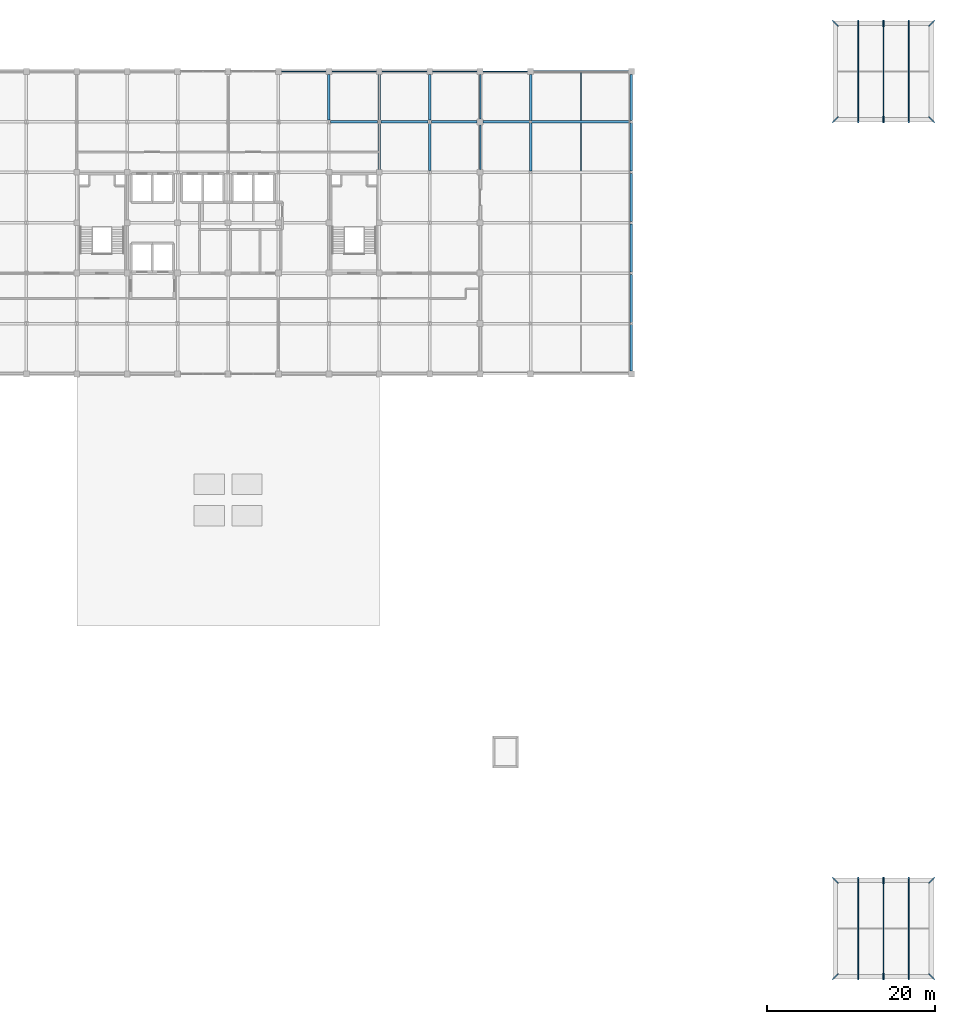
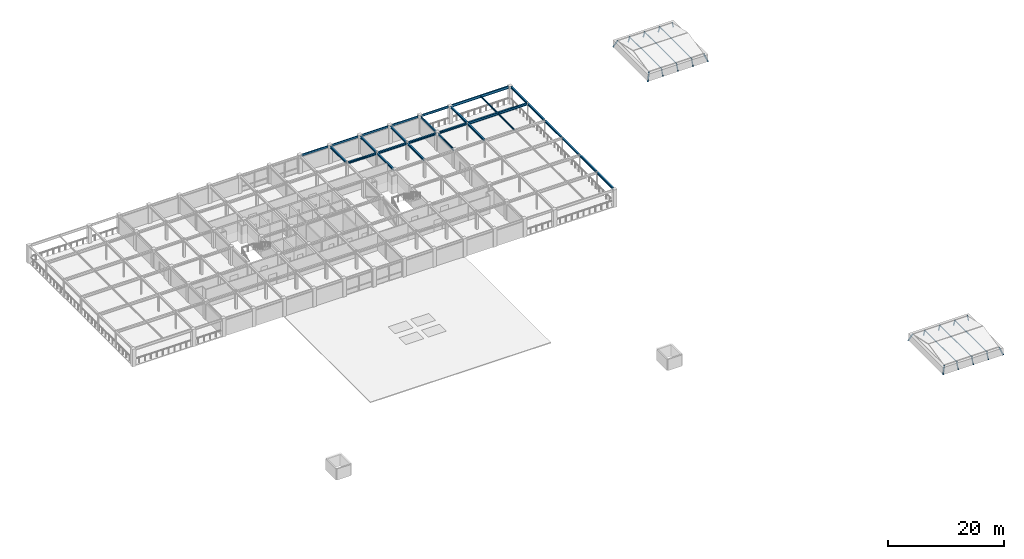
# One storey, part 18 of 25: 28 beams, 26 members.
"""IFC4 building model written with IfcOpenShell, lengths in metres."""

from ifc_helpers import new_model, si_unit, direction, frame, origin, origin_2d, place, context, subcontext, project, spatial, hollow_rectangle, i_section, extrude, material, material_profile, profile_set, type_object, element, save


model = new_model("IFC4")

# Units and contexts
model_context = context("Model", 3, precision=1e-05, world=origin(), true_north=direction((0.0, 1.0)))
body_context = subcontext(model_context, "Body", "Model", "MODEL_VIEW")
ifc_project = project(units=[si_unit("LENGTHUNIT", "METRE"), si_unit("AREAUNIT", "SQUARE_METRE"), si_unit("VOLUMEUNIT", "CUBIC_METRE"), si_unit("PLANEANGLEUNIT", "RADIAN"), si_unit("MASSUNIT", "GRAM", prefix="KILO")], contexts=[model_context])

# Site, building, storey
site_placement = place(None, origin())
site = spatial("IfcSite", under=ifc_project, at=site_placement, CompositionType="ELEMENT")
building_placement = place(site_placement, origin())
building = spatial("IfcBuilding", under=site, at=building_placement, Name="Zlatovratsky Civic Hall", CompositionType="ELEMENT")
storey_placement = place(building_placement, frame((0.0, 0.0, 21.0)))
storey = spatial("IfcBuildingStorey", under=building, at=storey_placement, Name="L05", CompositionType="ELEMENT", Elevation=21.0)

# Beams
ifc_material = material(Name="Steel S355", Category="steel")
ifc_material_profile_1 = material_profile(ifc_material, i_section(OverallWidth=0.300048828125, OverallDepth=0.487060546875, WebThickness=0.014404296875, FlangeThickness=0.017578125, FilletRadius=0.02392578125, at=origin_2d()), Name="50Sh2")
ifc_profile_set_1 = profile_set([ifc_material_profile_1], Name="Steel S355")
beam_type_1 = type_object("IfcBeamType", Name="Beam_ArchiveGirder_50Sh2", PredefinedType="BEAM", material=ifc_profile_set_1)
beam_1_placement = place(storey_placement, frame((120.136474609375, 102.0, 3.45654296875), z_axis=(1.0, 0.0, 0.0), x_axis=(0.0, 1.0, 0.0)))
element("IfcBeam", 1, at=beam_1_placement, inside=storey, type_object=beam_type_1, Name="BM-3990", PredefinedType="BEAM", context=body_context, shape_type="SweptSolid", body=[
    extrude(i_section(OverallWidth=0.300048828125, OverallDepth=0.487060546875, WebThickness=0.014404296875, FlangeThickness=0.017578125, FilletRadius=0.02392578125, at=origin_2d()), origin(), (0.0, 0.0, 1.0), 11.72705078125),
])
ifc_material_profile_2 = material_profile(ifc_material, i_section(OverallWidth=0.169921875, OverallDepth=0.446044921875, WebThickness=0.007568359375, FlangeThickness=0.010986328125, FilletRadius=0.01611328125, at=origin_2d()), Name="45B1")
ifc_profile_set_2 = profile_set([ifc_material_profile_2], Name="Steel S355")
beam_type_2 = type_object("IfcBeamType", Name="Beam_Spandrel_45B1", PredefinedType="SPANDREL", material=ifc_profile_set_2)
for number, where, z_axis, x_axis, name in (
    (2, (90.35009765625, 108.0, 3.47705078125), (1.0, 0.0, 0.0), (0.0, 1.0, 0.0), "BM-3999"),
    (3, (96.35009765625, 108.0, 3.47705078125), (1.0, 0.0, 0.0), (0.0, 1.0, 0.0), "BM-4000"),
    (4, (102.35009765625, 108.0, 3.47705078125), (1.0, 0.0, 0.0), (0.0, 1.0, 0.0), "BM-4001"),
    (5, (108.35009765625, 108.0, 3.47705078125), (1.0, 0.0, 0.0), (0.0, 1.0, 0.0), "BM-4002"),
    (6, (114.35009765625, 108.0, 3.47705078125), (1.0, 0.0, 0.0), (0.0, 1.0, 0.0), "BM-4003"),
    (7, (114.0, 96.35009765625, 3.47705078125), (0.0, 1.0, 0.0), (-1.0, 0.0, 0.0), "BM-4081"),
    (8, (114.0, 102.35009765625, 3.47705078125), (0.0, 1.0, 0.0), (-1.0, 0.0, 0.0), "BM-4082"),
):
    element("IfcBeam", number, at=place(storey_placement, frame(where, z_axis=z_axis, x_axis=x_axis)), inside=storey, type_object=beam_type_2, Name=name, PredefinedType="SPANDREL", context=body_context, shape_type="SweptSolid", body=[
        extrude(i_section(OverallWidth=0.169921875, OverallDepth=0.446044921875, WebThickness=0.007568359375, FlangeThickness=0.010986328125, FilletRadius=0.01611328125, at=origin_2d()), origin(), (0.0, 0.0, 1.0), 5.2998046875),
    ])
ifc_material_profile_3 = material_profile(ifc_material, i_section(OverallWidth=0.219970703125, OverallDepth=0.54296875, WebThickness=0.009521484375, FlangeThickness=0.013427734375, FilletRadius=0.01806640625, at=origin_2d()), Name="55B1")
ifc_profile_set_3 = profile_set([ifc_material_profile_3], Name="Steel S355")
beam_type_3 = type_object("IfcBeamType", Name="Beam_Spandrel_55B1", PredefinedType="SPANDREL", material=ifc_profile_set_3)
beam_2_placement = place(storey_placement, frame((120.35009765625, 108.0, 3.428466796875), z_axis=(1.0, 0.0, 0.0), x_axis=(0.0, 1.0, 0.0)))
element("IfcBeam", 9, at=beam_2_placement, inside=storey, type_object=beam_type_3, Name="BM-4004", PredefinedType="SPANDREL", context=body_context, shape_type="SweptSolid", body=[
    extrude(i_section(OverallWidth=0.219970703125, OverallDepth=0.54296875, WebThickness=0.009521484375, FlangeThickness=0.013427734375, FilletRadius=0.01806640625, at=origin_2d()), origin(), (0.0, 0.0, 1.0), 11.2998046875),
])
ifc_material_profile_4 = material_profile(ifc_material, i_section(OverallWidth=0.300048828125, OverallDepth=0.387939453125, WebThickness=0.009521484375, FlangeThickness=0.013916015625, FilletRadius=0.02197265625, at=origin_2d()), Name="40Sh1")
ifc_profile_set_4 = profile_set([ifc_material_profile_4], Name="Steel S355")
beam_type_4 = type_object("IfcBeamType", Name="Beam_TowerMid_40Sh1", PredefinedType="BEAM", material=ifc_profile_set_4)
for number, where, z_axis, x_axis, name in (
    (10, (96.199951171875, 102.0, 3.506103515625), (1.0, 0.0, 0.0), (0.0, 1.0, 0.0), "BM-3986"),
    (11, (102.199951171875, 102.0, 3.506103515625), (1.0, 0.0, 0.0), (0.0, 1.0, 0.0), "BM-3987"),
):
    element("IfcBeam", number, at=place(storey_placement, frame(where, z_axis=z_axis, x_axis=x_axis)), inside=storey, type_object=beam_type_4, Name=name, PredefinedType="BEAM", context=body_context, shape_type="SweptSolid", body=[
        extrude(i_section(OverallWidth=0.300048828125, OverallDepth=0.387939453125, WebThickness=0.009521484375, FlangeThickness=0.013916015625, FilletRadius=0.02197265625, at=origin_2d()), origin(), (0.0, 0.0, 1.0), 5.60009765625),
    ])
beam_3_placement = place(storey_placement, frame((108.199951171875, 102.0, 3.506103515625), z_axis=(1.0, 0.0, 0.0), x_axis=(0.0, 1.0, 0.0)))
element("IfcBeam", 12, at=beam_3_placement, inside=storey, type_object=beam_type_4, Name="BM-3988", PredefinedType="BEAM", context=body_context, shape_type="SweptSolid", body=[
    extrude(i_section(OverallWidth=0.300048828125, OverallDepth=0.387939453125, WebThickness=0.009521484375, FlangeThickness=0.013916015625, FilletRadius=0.02197265625, at=origin_2d()), origin(), (0.0, 0.0, 1.0), 5.449951171875),
])
beam_4_placement = place(storey_placement, frame((114.35009765625, 102.0, 3.506103515625), z_axis=(1.0, 0.0, 0.0), x_axis=(0.0, 1.0, 0.0)))
element("IfcBeam", 13, at=beam_4_placement, inside=storey, type_object=beam_type_4, Name="BM-3989", PredefinedType="BEAM", context=body_context, shape_type="SweptSolid", body=[
    extrude(i_section(OverallWidth=0.300048828125, OverallDepth=0.387939453125, WebThickness=0.009521484375, FlangeThickness=0.013916015625, FilletRadius=0.02197265625, at=origin_2d()), origin(), (0.0, 0.0, 1.0), 5.513427734375),
])
for number, where, z_axis, x_axis, name in (
    (14, (96.0, 102.199951171875, 3.506103515625), (0.0, 1.0, 0.0), (-1.0, 0.0, 0.0), "BM-4064"),
    (15, (102.0, 96.35009765625, 3.506103515625), (0.0, 1.0, 0.0), (-1.0, 0.0, 0.0), "BM-4069"),
    (16, (102.0, 102.199951171875, 3.506103515625), (0.0, 1.0, 0.0), (-1.0, 0.0, 0.0), "BM-4070"),
):
    element("IfcBeam", number, at=place(storey_placement, frame(where, z_axis=z_axis, x_axis=x_axis)), inside=storey, type_object=beam_type_4, Name=name, PredefinedType="BEAM", context=body_context, shape_type="SweptSolid", body=[
        extrude(i_section(OverallWidth=0.300048828125, OverallDepth=0.387939453125, WebThickness=0.009521484375, FlangeThickness=0.013916015625, FilletRadius=0.02197265625, at=origin_2d()), origin(), (0.0, 0.0, 1.0), 5.449951171875),
    ])
beam_5_placement = place(storey_placement, frame((108.0, 96.199951171875, 3.506103515625), z_axis=(0.0, 1.0, 0.0), x_axis=(-1.0, 0.0, 0.0)))
element("IfcBeam", 17, at=beam_5_placement, inside=storey, type_object=beam_type_4, Name="BM-4075", PredefinedType="BEAM", context=body_context, shape_type="SweptSolid", body=[
    extrude(i_section(OverallWidth=0.300048828125, OverallDepth=0.387939453125, WebThickness=0.009521484375, FlangeThickness=0.013916015625, FilletRadius=0.02197265625, at=origin_2d()), origin(), (0.0, 0.0, 1.0), 5.60009765625),
])
beam_6_placement = place(storey_placement, frame((108.0, 102.199951171875, 3.506103515625), z_axis=(0.0, 1.0, 0.0), x_axis=(-1.0, 0.0, 0.0)))
element("IfcBeam", 18, at=beam_6_placement, inside=storey, type_object=beam_type_4, Name="BM-4076", PredefinedType="BEAM", context=body_context, shape_type="SweptSolid", body=[
    extrude(i_section(OverallWidth=0.300048828125, OverallDepth=0.387939453125, WebThickness=0.009521484375, FlangeThickness=0.013916015625, FilletRadius=0.02197265625, at=origin_2d()), origin(), (0.0, 0.0, 1.0), 5.449951171875),
])
beam_7_placement = place(storey_placement, frame((120.0, 96.136474609375, 3.506103515625), z_axis=(0.0, 1.0, 0.0), x_axis=(-1.0, 0.0, 0.0)))
element("IfcBeam", 19, at=beam_7_placement, inside=storey, type_object=beam_type_4, Name="BM-4087", PredefinedType="BEAM", context=body_context, shape_type="SweptSolid", body=[
    extrude(i_section(OverallWidth=0.300048828125, OverallDepth=0.387939453125, WebThickness=0.009521484375, FlangeThickness=0.013916015625, FilletRadius=0.02197265625, at=origin_2d()), origin(), (0.0, 0.0, 1.0), 5.72705078125),
])
for number, where, z_axis, x_axis, name in (
    (20, (120.0, 102.136474609375, 3.506103515625), (0.0, 1.0, 0.0), (-1.0, 0.0, 0.0), "BM-4088"),
    (21, (132.0, 72.35009765625, 3.506103515625), (0.0, 1.0, 0.0), (-1.0, 0.0, 0.0), "BM-4089"),
):
    element("IfcBeam", number, at=place(storey_placement, frame(where, z_axis=z_axis, x_axis=x_axis)), inside=storey, type_object=beam_type_4, Name=name, PredefinedType="BEAM", context=body_context, shape_type="SweptSolid", body=[
        extrude(i_section(OverallWidth=0.300048828125, OverallDepth=0.387939453125, WebThickness=0.009521484375, FlangeThickness=0.013916015625, FilletRadius=0.02197265625, at=origin_2d()), origin(), (0.0, 0.0, 1.0), 5.513427734375),
    ])
for number, where, z_axis, x_axis, name in (
    (22, (132.0, 78.136474609375, 3.506103515625), (0.0, 1.0, 0.0), (-1.0, 0.0, 0.0), "BM-4090"),
    (23, (132.0, 84.136474609375, 3.506103515625), (0.0, 1.0, 0.0), (-1.0, 0.0, 0.0), "BM-4091"),
    (24, (132.0, 90.136474609375, 3.506103515625), (0.0, 1.0, 0.0), (-1.0, 0.0, 0.0), "BM-4092"),
    (25, (132.0, 96.136474609375, 3.506103515625), (0.0, 1.0, 0.0), (-1.0, 0.0, 0.0), "BM-4093"),
):
    element("IfcBeam", number, at=place(storey_placement, frame(where, z_axis=z_axis, x_axis=x_axis)), inside=storey, type_object=beam_type_4, Name=name, PredefinedType="BEAM", context=body_context, shape_type="SweptSolid", body=[
        extrude(i_section(OverallWidth=0.300048828125, OverallDepth=0.387939453125, WebThickness=0.009521484375, FlangeThickness=0.013916015625, FilletRadius=0.02197265625, at=origin_2d()), origin(), (0.0, 0.0, 1.0), 5.72705078125),
    ])
beam_8_placement = place(storey_placement, frame((132.0, 102.136474609375, 3.506103515625), z_axis=(0.0, 1.0, 0.0), x_axis=(-1.0, 0.0, 0.0)))
element("IfcBeam", 26, at=beam_8_placement, inside=storey, type_object=beam_type_4, Name="BM-4094", PredefinedType="BEAM", context=body_context, shape_type="SweptSolid", body=[
    extrude(i_section(OverallWidth=0.300048828125, OverallDepth=0.387939453125, WebThickness=0.009521484375, FlangeThickness=0.013916015625, FilletRadius=0.02197265625, at=origin_2d()), origin(), (0.0, 0.0, 1.0), 5.513427734375),
])

# Members
ifc_material_profile_5 = material_profile(ifc_material, hollow_rectangle(XDim=0.10009765625, YDim=0.179931640625, WallThickness=0.008056640625, at=origin_2d()), Name="RHS 180x100x8")
ifc_profile_set_5 = profile_set([ifc_material_profile_5], Name="Steel S355")
member_type_1 = type_object("IfcMemberType", Name="Collar_MansardTie_RHS180", PredefinedType="COLLAR", material=ifc_profile_set_5)
for number, where, z_axis, x_axis, name in (
    (27, (159.0, 0.550048828125, 1.080078125), (0.0, 1.0, 0.0), (-1.0, 0.0, 0.0), "MB-0018"),
    (28, (162.0, 0.550048828125, 1.080078125), (0.0, 1.0, 0.0), (-1.0, 0.0, 0.0), "MB-0021"),
    (29, (165.0, 0.550048828125, 1.080078125), (0.0, 1.0, 0.0), (-1.0, 0.0, 0.0), "MB-0024"),
    (30, (159.0, 102.550048828125, 1.080078125), (0.0, 1.0, 0.0), (-1.0, 0.0, 0.0), "MB-0044"),
    (31, (162.0, 102.550048828125, 1.080078125), (0.0, 1.0, 0.0), (-1.0, 0.0, 0.0), "MB-0047"),
    (32, (165.0, 102.550048828125, 1.080078125), (0.0, 1.0, 0.0), (-1.0, 0.0, 0.0), "MB-0050"),
):
    element("IfcMember", number, at=place(storey_placement, frame(where, z_axis=z_axis, x_axis=x_axis)), inside=storey, type_object=member_type_1, Name=name, PredefinedType="COLLAR", context=body_context, shape_type="SweptSolid", body=[
        extrude(hollow_rectangle(XDim=0.10009765625, YDim=0.179931640625, WallThickness=0.008056640625, at=origin_2d()), origin(), (0.0, 0.0, 1.0), 10.89990234375),
    ])

# Beams
ifc_material_profile_6 = material_profile(ifc_material, i_section(OverallWidth=0.14892578125, OverallDepth=0.2958984375, WebThickness=0.005615234375, FlangeThickness=0.008056640625, FilletRadius=0.012939453125, at=origin_2d()), Name="30B1")
ifc_profile_set_6 = profile_set([ifc_material_profile_6], Name="Steel S355")
beam_type_5 = type_object("IfcBeamType", Name="Joist_Tower_30B1", PredefinedType="JOIST", material=ifc_profile_set_6)
beam_9_placement = place(storey_placement, frame((126.0, 96.14990234375, 3.552001953125), z_axis=(0.0, 1.0, 0.0), x_axis=(-1.0, 0.0, 0.0)))
element("IfcBeam", 33, at=beam_9_placement, inside=storey, type_object=beam_type_5, Name="BM-4106", PredefinedType="JOIST", context=body_context, shape_type="SweptSolid", body=[
    extrude(i_section(OverallWidth=0.14892578125, OverallDepth=0.2958984375, WebThickness=0.005615234375, FlangeThickness=0.008056640625, FilletRadius=0.012939453125, at=origin_2d()), origin(), (0.0, 0.0, 1.0), 5.7001953125),
])
beam_10_placement = place(storey_placement, frame((126.0, 102.14990234375, 3.552001953125), z_axis=(0.0, 1.0, 0.0), x_axis=(-1.0, 0.0, 0.0)))
element("IfcBeam", 34, at=beam_10_placement, inside=storey, type_object=beam_type_5, Name="BM-4108", PredefinedType="JOIST", context=body_context, shape_type="SweptSolid", body=[
    extrude(i_section(OverallWidth=0.14892578125, OverallDepth=0.2958984375, WebThickness=0.005615234375, FlangeThickness=0.008056640625, FilletRadius=0.012939453125, at=origin_2d()), origin(), (0.0, 0.0, 1.0), 5.739990234375),
])

# Members
ifc_material_profile_7 = material_profile(ifc_material, hollow_rectangle(XDim=0.139892578125, YDim=0.239990234375, WallThickness=0.010009765625, at=origin_2d()), Name="RHS 240x140x10")
ifc_profile_set_7 = profile_set([ifc_material_profile_7], Name="Steel S355")
member_type_2 = type_object("IfcMemberType", Name="Rafter_MansardPodium_RHS240", PredefinedType="RAFTER", material=ifc_profile_set_7)
for number, where, z_axis, x_axis, name in (
    (35, (156.0, 0.0, -0.300048828125), (0.325529249466, 0.325529249466, 0.887728232898), (-0.707106781187, 0.707106781187, 0.0), "MB-0014"),
    (36, (156.0, 12.0, -0.300048828125), (0.325529249466, -0.325529249466, 0.887728232898), (0.707106781187, 0.707106781187, 0.0), "MB-0015"),
):
    element("IfcMember", number, at=place(storey_placement, frame(where, z_axis=z_axis, x_axis=x_axis)), inside=storey, type_object=member_type_2, Name=name, PredefinedType="RAFTER", context=body_context, shape_type="SweptSolid", body=[
        extrude(hollow_rectangle(XDim=0.139892578125, YDim=0.239990234375, WallThickness=0.010009765625, at=origin_2d()), origin(), (0.0, 0.0, 1.0), 1.689697265625),
    ])
for number, where, z_axis, x_axis, name in (
    (37, (159.0, 0.0, -0.300048828125), (0.0, 0.344281589127, 0.93886643746), (-1.0, 0.0, 0.0), "MB-0016"),
    (38, (159.0, 12.0, -0.300048828125), (0.0, -0.344281589127, 0.93886643746), (1.0, 0.0, 0.0), "MB-0017"),
    (39, (162.0, 0.0, -0.300048828125), (0.0, 0.344281589127, 0.93886643746), (-1.0, 0.0, 0.0), "MB-0019"),
    (40, (162.0, 12.0, -0.300048828125), (0.0, -0.344281589127, 0.93886643746), (1.0, 0.0, 0.0), "MB-0020"),
    (41, (165.0, 0.0, -0.300048828125), (0.0, 0.344281589127, 0.93886643746), (-1.0, 0.0, 0.0), "MB-0022"),
    (42, (165.0, 12.0, -0.300048828125), (0.0, -0.344281589127, 0.93886643746), (1.0, 0.0, 0.0), "MB-0023"),
):
    element("IfcMember", number, at=place(storey_placement, frame(where, z_axis=z_axis, x_axis=x_axis)), inside=storey, type_object=member_type_2, Name=name, PredefinedType="RAFTER", context=body_context, shape_type="SweptSolid", body=[
        extrude(hollow_rectangle(XDim=0.139892578125, YDim=0.239990234375, WallThickness=0.010009765625, at=origin_2d()), origin(), (0.0, 0.0, 1.0), 1.59765625),
    ])
for number, where, z_axis, x_axis, name in (
    (43, (168.0, 0.0, -0.300048828125), (-0.325529249466, 0.325529249466, 0.887728232898), (-0.707106781187, -0.707106781187, 0.0), "MB-0025"),
    (44, (168.0, 12.0, -0.300048828125), (-0.325529249466, -0.325529249466, 0.887728232898), (0.707106781187, -0.707106781187, 0.0), "MB-0026"),
    (45, (156.0, 102.0, -0.300048828125), (0.325529249466, 0.325529249466, 0.887728232898), (-0.707106781187, 0.707106781187, 0.0), "MB-0040"),
    (46, (156.0, 114.0, -0.300048828125), (0.325529249466, -0.325529249466, 0.887728232898), (0.707106781187, 0.707106781187, 0.0), "MB-0041"),
):
    element("IfcMember", number, at=place(storey_placement, frame(where, z_axis=z_axis, x_axis=x_axis)), inside=storey, type_object=member_type_2, Name=name, PredefinedType="RAFTER", context=body_context, shape_type="SweptSolid", body=[
        extrude(hollow_rectangle(XDim=0.139892578125, YDim=0.239990234375, WallThickness=0.010009765625, at=origin_2d()), origin(), (0.0, 0.0, 1.0), 1.689697265625),
    ])
for number, where, z_axis, x_axis, name in (
    (47, (159.0, 102.0, -0.300048828125), (0.0, 0.344281589127, 0.93886643746), (-1.0, 0.0, 0.0), "MB-0042"),
    (48, (159.0, 114.0, -0.300048828125), (0.0, -0.344281589127, 0.93886643746), (1.0, 0.0, 0.0), "MB-0043"),
    (49, (162.0, 102.0, -0.300048828125), (0.0, 0.344281589127, 0.93886643746), (-1.0, 0.0, 0.0), "MB-0045"),
    (50, (162.0, 114.0, -0.300048828125), (0.0, -0.344281589127, 0.93886643746), (1.0, 0.0, 0.0), "MB-0046"),
    (51, (165.0, 102.0, -0.300048828125), (0.0, 0.344281589127, 0.93886643746), (-1.0, 0.0, 0.0), "MB-0048"),
    (52, (165.0, 114.0, -0.300048828125), (0.0, -0.344281589127, 0.93886643746), (1.0, 0.0, 0.0), "MB-0049"),
):
    element("IfcMember", number, at=place(storey_placement, frame(where, z_axis=z_axis, x_axis=x_axis)), inside=storey, type_object=member_type_2, Name=name, PredefinedType="RAFTER", context=body_context, shape_type="SweptSolid", body=[
        extrude(hollow_rectangle(XDim=0.139892578125, YDim=0.239990234375, WallThickness=0.010009765625, at=origin_2d()), origin(), (0.0, 0.0, 1.0), 1.59765625),
    ])
for number, where, z_axis, x_axis, name in (
    (53, (168.0, 102.0, -0.300048828125), (-0.325529249466, 0.325529249466, 0.887728232898), (-0.707106781187, -0.707106781187, 0.0), "MB-0051"),
    (54, (168.0, 114.0, -0.300048828125), (-0.325529249466, -0.325529249466, 0.887728232898), (0.707106781187, -0.707106781187, 0.0), "MB-0052"),
):
    element("IfcMember", number, at=place(storey_placement, frame(where, z_axis=z_axis, x_axis=x_axis)), inside=storey, type_object=member_type_2, Name=name, PredefinedType="RAFTER", context=body_context, shape_type="SweptSolid", body=[
        extrude(hollow_rectangle(XDim=0.139892578125, YDim=0.239990234375, WallThickness=0.010009765625, at=origin_2d()), origin(), (0.0, 0.0, 1.0), 1.689697265625),
    ])

save(model, "model.ifc")
